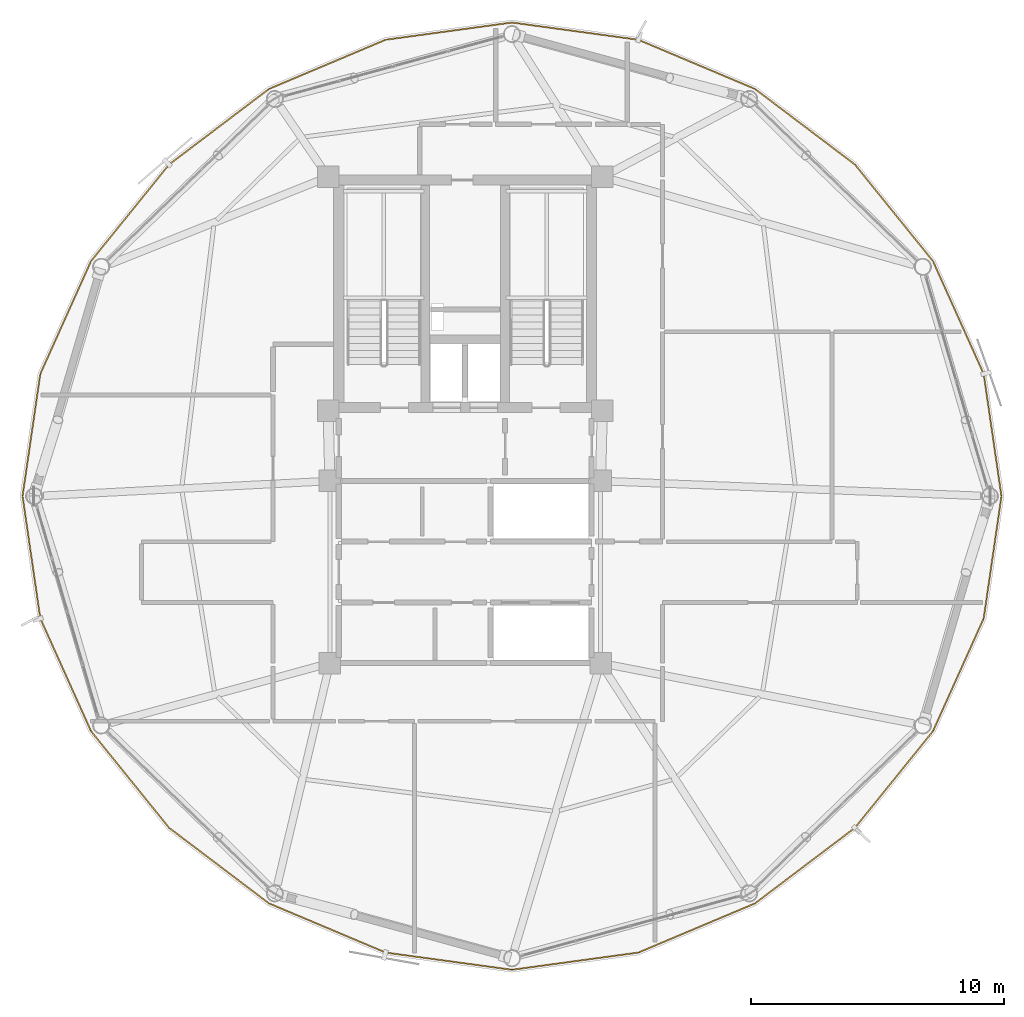
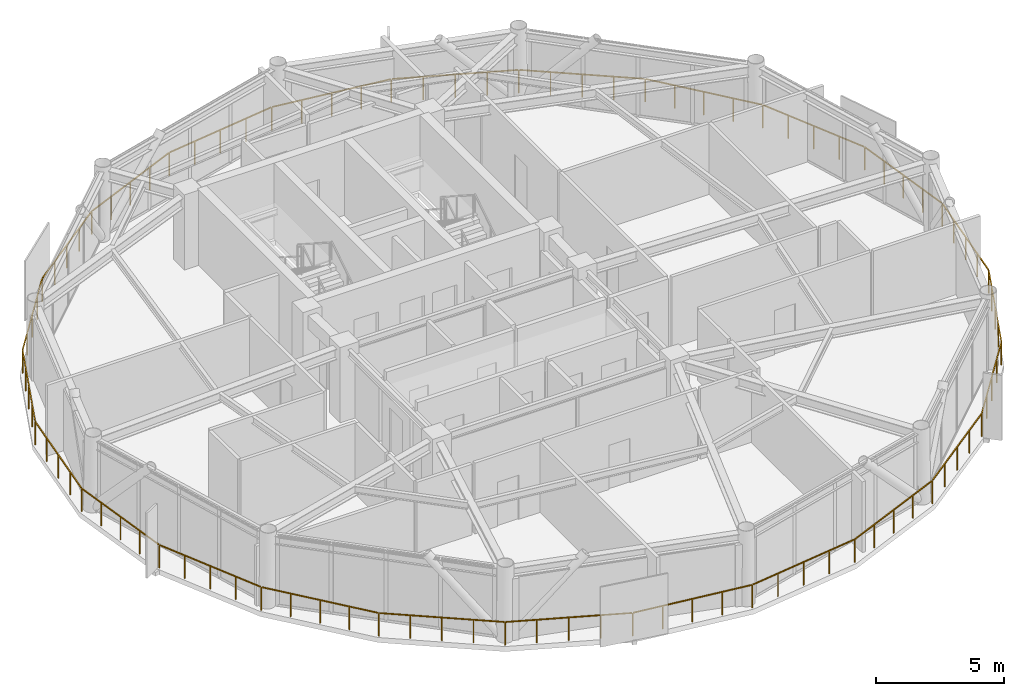
# One storey, part 27 of 28: 1 railing.
"""IFC4 building model written with IfcOpenShell, lengths in metres."""

from ifc_helpers import new_model, si_unit, direction, frame, origin, origin_2d, place, context, subcontext, project, spatial, rectangle, extrude, material, type_object, element, save


model = new_model("IFC4")

# Units and contexts
model_context = context("Model", 3, precision=1e-05, world=origin(), true_north=direction((0.0, 1.0)))
body_context = subcontext(model_context, "Body", "Model", "MODEL_VIEW")
ifc_project = project(units=[si_unit("LENGTHUNIT", "METRE"), si_unit("AREAUNIT", "SQUARE_METRE"), si_unit("VOLUMEUNIT", "CUBIC_METRE"), si_unit("PLANEANGLEUNIT", "RADIAN"), si_unit("MASSUNIT", "GRAM", prefix="KILO")], contexts=[model_context])

# Site, building, storey
site_placement = place(None, origin())
site = spatial("IfcSite", under=ifc_project, at=site_placement, CompositionType="ELEMENT")
building_placement = place(site_placement, origin())
building = spatial("IfcBuilding", under=site, at=building_placement, Name="Varnakorn Sky Granary", CompositionType="ELEMENT")
storey_placement = place(building_placement, frame((0.0, 0.0, 225.60009765625)))
storey = spatial("IfcBuildingStorey", under=building, at=storey_placement, Name="L57", CompositionType="ELEMENT", Elevation=225.60009765625)

# Railing
ifc_material = material(Name="Anodised Bronze Aluminium Alloy 6063-T6", Category="aluminium")
railing_type = type_object("IfcRailingType", Name="RL-BAL-1120", PredefinedType="BALUSTRADE", material=ifc_material)
railing_placement = place(storey_placement, frame((24.200927734375, 0.0, 0.0)))
element("IfcRailing", 1, at=railing_placement, inside=storey, type_object=railing_type, Name="Perimeter Slab-Edge Safety Guard L57", PredefinedType="BALUSTRADE", context=body_context, shape_type="SweptSolid", body=[
    extrude(rectangle(XDim=0.048095703125, YDim=0.048095703125, at=origin_2d()), frame((-0.00390625, -0.027587890625, 1.09619140625), z_axis=(-0.143779620503, -0.989609731524, 0.0), x_axis=(0.989609731524, -0.143779620503, 0.0)), (0.0, 0.0, 1.0), 4.827392578125),
    extrude(rectangle(XDim=0.048095703125, YDim=0.048095703125, at=origin_2d()), frame((-0.713623046875, -4.8583984375, 1.09619140625), z_axis=(-0.410132166, -0.912026099633, 0.0), x_axis=(0.912026099633, -0.410132166, 0.0)), (0.0, 0.0, 1.0), 4.834228515625),
    extrude(rectangle(XDim=0.048095703125, YDim=0.048095703125, at=origin_2d()), frame((-2.725341796875, -9.314453125, 1.09619140625), z_axis=(-0.628447043258, -0.777852372767, 0.0), x_axis=(0.777852372767, -0.628447043258, 0.0)), (0.0, 0.0, 1.0), 4.8544921875),
    extrude(rectangle(XDim=0.048095703125, YDim=0.048095703125, at=origin_2d()), frame((-5.81591796875, -13.129150390625, 1.09619140625), z_axis=(-0.797532042783, -0.603276587259, 0.0), x_axis=(0.603276587259, -0.797532042783, 0.0)), (0.0, 0.0, 1.0), 4.895751953125),
    extrude(rectangle(XDim=0.048095703125, YDim=0.048095703125, at=origin_2d()), frame((-9.768798828125, -16.110595703125, 1.09619140625), z_axis=(-0.921472767548, -0.388442967072, 0.0), x_axis=(0.388442967072, -0.921472767548, 0.0)), (0.0, 0.0, 1.0), 4.94873046875),
    extrude(rectangle(XDim=0.048095703125, YDim=0.048095703125, at=origin_2d()), frame((-14.382568359375, -18.04736328125, 1.09619140625), z_axis=(-0.990827221476, -0.135134811139, 0.0), x_axis=(0.135134811139, -0.990827221476, 0.0)), (0.0, 0.0, 1.0), 4.986328125),
    extrude(rectangle(XDim=0.048095703125, YDim=0.048095703125, at=origin_2d()), frame((-19.378662109375, -18.721435546875, 1.09619140625), z_axis=(-0.990828105595, 0.135128328498, 0.0), x_axis=(-0.135128328498, -0.990828105595, 0.0)), (0.0, 0.0, 1.0), 4.986572265625),
    extrude(rectangle(XDim=0.048095703125, YDim=0.048095703125, at=origin_2d()), frame((-24.373046875, -18.03271484375, 1.09619140625), z_axis=(-0.921472767548, 0.388442967072, 0.0), x_axis=(-0.388442967072, -0.921472767548, 0.0)), (0.0, 0.0, 1.0), 4.94873046875),
    extrude(rectangle(XDim=0.048095703125, YDim=0.048095703125, at=origin_2d()), frame((-28.981201171875, -16.082763671875, 1.09619140625), z_axis=(-0.797532042783, 0.603276587259, 0.0), x_axis=(-0.603276587259, -0.797532042783, 0.0)), (0.0, 0.0, 1.0), 4.895751953125),
    extrude(rectangle(XDim=0.048095703125, YDim=0.048095703125, at=origin_2d()), frame((-32.92578125, -13.090576171875, 1.09619140625), z_axis=(-0.628447043258, 0.777852372767, 0.0), x_axis=(-0.777852372767, -0.628447043258, 0.0)), (0.0, 0.0, 1.0), 4.8544921875),
    extrude(rectangle(XDim=0.048095703125, YDim=0.048095703125, at=origin_2d()), frame((-36.005615234375, -9.26708984375, 1.09619140625), z_axis=(-0.410132166, 0.912026099633, 0.0), x_axis=(-0.912026099633, -0.410132166, 0.0)), (0.0, 0.0, 1.0), 4.834228515625),
    extrude(rectangle(XDim=0.048095703125, YDim=0.048095703125, at=origin_2d()), frame((-38.003662109375, -4.80517578125, 1.09619140625), z_axis=(-0.143779620503, 0.989609731524, 0.0), x_axis=(-0.989609731524, -0.143779620503, 0.0)), (0.0, 0.0, 1.0), 4.827392578125),
    extrude(rectangle(XDim=0.048095703125, YDim=0.048095703125, at=origin_2d()), frame((-38.697998046875, 0.027587890625, 1.09619140625), z_axis=(0.143779620503, 0.989609731524, 0.0), x_axis=(-0.989609731524, 0.143779620503, 0.0)), (0.0, 0.0, 1.0), 4.827392578125),
    extrude(rectangle(XDim=0.048095703125, YDim=0.048095703125, at=origin_2d()), frame((-37.98828125, 4.8583984375, 1.09619140625), z_axis=(0.410132166, 0.912026099633, 0.0), x_axis=(-0.912026099633, 0.410132166, 0.0)), (0.0, 0.0, 1.0), 4.834228515625),
    extrude(rectangle(XDim=0.048095703125, YDim=0.048095703125, at=origin_2d()), frame((-35.9765625, 9.314453125, 1.09619140625), z_axis=(0.628447043258, 0.777852372767, 0.0), x_axis=(-0.777852372767, 0.628447043258, 0.0)), (0.0, 0.0, 1.0), 4.8544921875),
    extrude(rectangle(XDim=0.048095703125, YDim=0.048095703125, at=origin_2d()), frame((-32.885986328125, 13.129150390625, 1.09619140625), z_axis=(0.797532042783, 0.603276587259, 0.0), x_axis=(-0.603276587259, 0.797532042783, 0.0)), (0.0, 0.0, 1.0), 4.895751953125),
    extrude(rectangle(XDim=0.048095703125, YDim=0.048095703125, at=origin_2d()), frame((-28.93310546875, 16.110595703125, 1.09619140625), z_axis=(0.921472767548, 0.388442967072, 0.0), x_axis=(-0.388442967072, 0.921472767548, 0.0)), (0.0, 0.0, 1.0), 4.94873046875),
    extrude(rectangle(XDim=0.048095703125, YDim=0.048095703125, at=origin_2d()), frame((-24.3193359375, 18.04736328125, 1.09619140625), z_axis=(0.990828105595, 0.135128328498, 0.0), x_axis=(-0.135128328498, 0.990828105595, 0.0)), (0.0, 0.0, 1.0), 4.986572265625),
    extrude(rectangle(XDim=0.048095703125, YDim=0.048095703125, at=origin_2d()), frame((-19.322998046875, 18.721435546875, 1.09619140625), z_axis=(0.990827221476, -0.135134811139, 0.0), x_axis=(0.135134811139, 0.990827221476, 0.0)), (0.0, 0.0, 1.0), 4.986328125),
    extrude(rectangle(XDim=0.048095703125, YDim=0.048095703125, at=origin_2d()), frame((-14.328857421875, 18.03271484375, 1.09619140625), z_axis=(0.921472767548, -0.388442967072, 0.0), x_axis=(0.388442967072, 0.921472767548, 0.0)), (0.0, 0.0, 1.0), 4.94873046875),
    extrude(rectangle(XDim=0.048095703125, YDim=0.048095703125, at=origin_2d()), frame((-9.720703125, 16.082763671875, 1.09619140625), z_axis=(0.797532042783, -0.603276587259, 0.0), x_axis=(0.603276587259, 0.797532042783, 0.0)), (0.0, 0.0, 1.0), 4.895751953125),
    extrude(rectangle(XDim=0.048095703125, YDim=0.048095703125, at=origin_2d()), frame((-5.776123046875, 13.090576171875, 1.09619140625), z_axis=(0.628447043258, -0.777852372767, 0.0), x_axis=(0.777852372767, 0.628447043258, 0.0)), (0.0, 0.0, 1.0), 4.8544921875),
    extrude(rectangle(XDim=0.048095703125, YDim=0.048095703125, at=origin_2d()), frame((-2.6962890625, 9.26708984375, 1.09619140625), z_axis=(0.410132166, -0.912026099633, 0.0), x_axis=(0.912026099633, 0.410132166, 0.0)), (0.0, 0.0, 1.0), 4.834228515625),
    extrude(rectangle(XDim=0.048095703125, YDim=0.048095703125, at=origin_2d()), frame((-0.6982421875, 4.80517578125, 1.09619140625), z_axis=(0.143779620503, -0.989609731524, 0.0), x_axis=(0.989609731524, 0.143779620503, 0.0)), (0.0, 0.0, 1.0), 4.827392578125),
    extrude(rectangle(XDim=0.0419921875, YDim=0.0419921875, at=origin_2d()), origin(), (0.0, 0.0, 1.0), 1.068115234375),
    extrude(rectangle(XDim=0.0419921875, YDim=0.0419921875, at=origin_2d()), frame((-0.175537109375, -1.208251953125, 0.0)), (0.0, 0.0, 1.0), 1.068115234375),
    extrude(rectangle(XDim=0.0419921875, YDim=0.0419921875, at=origin_2d()), frame((-0.35107421875, -2.41650390625, 0.0)), (0.0, 0.0, 1.0), 1.068115234375),
    extrude(rectangle(XDim=0.0419921875, YDim=0.0419921875, at=origin_2d()), frame((-0.526611328125, -3.62451171875, 0.0)), (0.0, 0.0, 1.0), 1.068115234375),
    extrude(rectangle(XDim=0.0419921875, YDim=0.0419921875, at=origin_2d()), frame((-0.7021484375, -4.832763671875, 0.0)), (0.0, 0.0, 1.0), 1.068115234375),
    extrude(rectangle(XDim=0.0419921875, YDim=0.0419921875, at=origin_2d()), frame((-1.20361328125, -5.94775390625, 0.0)), (0.0, 0.0, 1.0), 1.068115234375),
    extrude(rectangle(XDim=0.0419921875, YDim=0.0419921875, at=origin_2d()), frame((-1.705078125, -7.062744140625, 0.0)), (0.0, 0.0, 1.0), 1.068115234375),
    extrude(rectangle(XDim=0.0419921875, YDim=0.0419921875, at=origin_2d()), frame((-2.206298828125, -8.177734375, 0.0)), (0.0, 0.0, 1.0), 1.068115234375),
    extrude(rectangle(XDim=0.0419921875, YDim=0.0419921875, at=origin_2d()), frame((-2.707763671875, -9.292724609375, 0.0)), (0.0, 0.0, 1.0), 1.068115234375),
    extrude(rectangle(XDim=0.0419921875, YDim=0.0419921875, at=origin_2d()), frame((-3.479248046875, -10.24755859375, 0.0)), (0.0, 0.0, 1.0), 1.068115234375),
    extrude(rectangle(XDim=0.0419921875, YDim=0.0419921875, at=origin_2d()), frame((-4.250732421875, -11.20263671875, 0.0)), (0.0, 0.0, 1.0), 1.068115234375),
    extrude(rectangle(XDim=0.0419921875, YDim=0.0419921875, at=origin_2d()), frame((-5.022216796875, -12.157470703125, 0.0)), (0.0, 0.0, 1.0), 1.068115234375),
    extrude(rectangle(XDim=0.0419921875, YDim=0.0419921875, at=origin_2d()), frame((-5.793701171875, -13.1123046875, 0.0)), (0.0, 0.0, 1.0), 1.068115234375),
    extrude(rectangle(XDim=0.0419921875, YDim=0.0419921875, at=origin_2d()), frame((-6.781005859375, -13.859130859375, 0.0)), (0.0, 0.0, 1.0), 1.068115234375),
    extrude(rectangle(XDim=0.0419921875, YDim=0.0419921875, at=origin_2d()), frame((-7.768310546875, -14.60595703125, 0.0)), (0.0, 0.0, 1.0), 1.068115234375),
    extrude(rectangle(XDim=0.0419921875, YDim=0.0419921875, at=origin_2d()), frame((-8.755615234375, -15.352783203125, 0.0)), (0.0, 0.0, 1.0), 1.068115234375),
    extrude(rectangle(XDim=0.0419921875, YDim=0.0419921875, at=origin_2d()), frame((-9.742919921875, -16.099609375, 0.0)), (0.0, 0.0, 1.0), 1.068115234375),
    extrude(rectangle(XDim=0.0419921875, YDim=0.0419921875, at=origin_2d()), frame((-10.89599609375, -16.585693359375, 0.0)), (0.0, 0.0, 1.0), 1.068115234375),
    extrude(rectangle(XDim=0.0419921875, YDim=0.0419921875, at=origin_2d()), frame((-12.048828125, -17.07177734375, 0.0)), (0.0, 0.0, 1.0), 1.068115234375),
    extrude(rectangle(XDim=0.0419921875, YDim=0.0419921875, at=origin_2d()), frame((-13.20166015625, -17.5576171875, 0.0)), (0.0, 0.0, 1.0), 1.068115234375),
    extrude(rectangle(XDim=0.0419921875, YDim=0.0419921875, at=origin_2d()), frame((-14.354736328125, -18.043701171875, 0.0)), (0.0, 0.0, 1.0), 1.068115234375),
    extrude(rectangle(XDim=0.0419921875, YDim=0.0419921875, at=origin_2d()), frame((-15.603759765625, -18.214111328125, 0.0)), (0.0, 0.0, 1.0), 1.068115234375),
    extrude(rectangle(XDim=0.0419921875, YDim=0.0419921875, at=origin_2d()), frame((-16.852783203125, -18.38427734375, 0.0)), (0.0, 0.0, 1.0), 1.068115234375),
    extrude(rectangle(XDim=0.0419921875, YDim=0.0419921875, at=origin_2d()), frame((-18.101806640625, -18.5546875, 0.0)), (0.0, 0.0, 1.0), 1.068115234375),
    extrude(rectangle(XDim=0.0419921875, YDim=0.0419921875, at=origin_2d()), frame((-19.350830078125, -18.72509765625, 0.0)), (0.0, 0.0, 1.0), 1.068115234375),
    extrude(rectangle(XDim=0.0419921875, YDim=0.0419921875, at=origin_2d()), frame((-20.599853515625, -18.5546875, 0.0)), (0.0, 0.0, 1.0), 1.068115234375),
    extrude(rectangle(XDim=0.0419921875, YDim=0.0419921875, at=origin_2d()), frame((-21.84912109375, -18.38427734375, 0.0)), (0.0, 0.0, 1.0), 1.068115234375),
    extrude(rectangle(XDim=0.0419921875, YDim=0.0419921875, at=origin_2d()), frame((-23.09814453125, -18.214111328125, 0.0)), (0.0, 0.0, 1.0), 1.068115234375),
    extrude(rectangle(XDim=0.0419921875, YDim=0.0419921875, at=origin_2d()), frame((-24.34716796875, -18.043701171875, 0.0)), (0.0, 0.0, 1.0), 1.068115234375),
    extrude(rectangle(XDim=0.0419921875, YDim=0.0419921875, at=origin_2d()), frame((-25.5, -17.5576171875, 0.0)), (0.0, 0.0, 1.0), 1.068115234375),
    extrude(rectangle(XDim=0.0419921875, YDim=0.0419921875, at=origin_2d()), frame((-26.653076171875, -17.07177734375, 0.0)), (0.0, 0.0, 1.0), 1.068115234375),
    extrude(rectangle(XDim=0.0419921875, YDim=0.0419921875, at=origin_2d()), frame((-27.80615234375, -16.585693359375, 0.0)), (0.0, 0.0, 1.0), 1.068115234375),
    extrude(rectangle(XDim=0.0419921875, YDim=0.0419921875, at=origin_2d()), frame((-28.958984375, -16.099609375, 0.0)), (0.0, 0.0, 1.0), 1.068115234375),
    extrude(rectangle(XDim=0.0419921875, YDim=0.0419921875, at=origin_2d()), frame((-29.9462890625, -15.352783203125, 0.0)), (0.0, 0.0, 1.0), 1.068115234375),
    extrude(rectangle(XDim=0.0419921875, YDim=0.0419921875, at=origin_2d()), frame((-30.93359375, -14.60595703125, 0.0)), (0.0, 0.0, 1.0), 1.068115234375),
    extrude(rectangle(XDim=0.0419921875, YDim=0.0419921875, at=origin_2d()), frame((-31.9208984375, -13.859130859375, 0.0)), (0.0, 0.0, 1.0), 1.068115234375),
    extrude(rectangle(XDim=0.0419921875, YDim=0.0419921875, at=origin_2d()), frame((-32.908203125, -13.1123046875, 0.0)), (0.0, 0.0, 1.0), 1.068115234375),
    extrude(rectangle(XDim=0.0419921875, YDim=0.0419921875, at=origin_2d()), frame((-33.6796875, -12.157470703125, 0.0)), (0.0, 0.0, 1.0), 1.068115234375),
    extrude(rectangle(XDim=0.0419921875, YDim=0.0419921875, at=origin_2d()), frame((-34.451171875, -11.20263671875, 0.0)), (0.0, 0.0, 1.0), 1.068115234375),
    extrude(rectangle(XDim=0.0419921875, YDim=0.0419921875, at=origin_2d()), frame((-35.22265625, -10.24755859375, 0.0)), (0.0, 0.0, 1.0), 1.068115234375),
    extrude(rectangle(XDim=0.0419921875, YDim=0.0419921875, at=origin_2d()), frame((-35.994140625, -9.292724609375, 0.0)), (0.0, 0.0, 1.0), 1.068115234375),
    extrude(rectangle(XDim=0.0419921875, YDim=0.0419921875, at=origin_2d()), frame((-36.49560546875, -8.177734375, 0.0)), (0.0, 0.0, 1.0), 1.068115234375),
    extrude(rectangle(XDim=0.0419921875, YDim=0.0419921875, at=origin_2d()), frame((-36.9970703125, -7.062744140625, 0.0)), (0.0, 0.0, 1.0), 1.068115234375),
    extrude(rectangle(XDim=0.0419921875, YDim=0.0419921875, at=origin_2d()), frame((-37.498291015625, -5.94775390625, 0.0)), (0.0, 0.0, 1.0), 1.068115234375),
    extrude(rectangle(XDim=0.0419921875, YDim=0.0419921875, at=origin_2d()), frame((-37.999755859375, -4.832763671875, 0.0)), (0.0, 0.0, 1.0), 1.068115234375),
    extrude(rectangle(XDim=0.0419921875, YDim=0.0419921875, at=origin_2d()), frame((-38.17529296875, -3.62451171875, 0.0)), (0.0, 0.0, 1.0), 1.068115234375),
    extrude(rectangle(XDim=0.0419921875, YDim=0.0419921875, at=origin_2d()), frame((-38.350830078125, -2.41650390625, 0.0)), (0.0, 0.0, 1.0), 1.068115234375),
    extrude(rectangle(XDim=0.0419921875, YDim=0.0419921875, at=origin_2d()), frame((-38.5263671875, -1.208251953125, 0.0)), (0.0, 0.0, 1.0), 1.068115234375),
    extrude(rectangle(XDim=0.0419921875, YDim=0.0419921875, at=origin_2d()), frame((-38.701904296875, 0.0, 0.0)), (0.0, 0.0, 1.0), 1.068115234375),
    extrude(rectangle(XDim=0.0419921875, YDim=0.0419921875, at=origin_2d()), frame((-38.5263671875, 1.208251953125, 0.0)), (0.0, 0.0, 1.0), 1.068115234375),
    extrude(rectangle(XDim=0.0419921875, YDim=0.0419921875, at=origin_2d()), frame((-38.350830078125, 2.41650390625, 0.0)), (0.0, 0.0, 1.0), 1.068115234375),
    extrude(rectangle(XDim=0.0419921875, YDim=0.0419921875, at=origin_2d()), frame((-38.17529296875, 3.62451171875, 0.0)), (0.0, 0.0, 1.0), 1.068115234375),
    extrude(rectangle(XDim=0.0419921875, YDim=0.0419921875, at=origin_2d()), frame((-37.999755859375, 4.832763671875, 0.0)), (0.0, 0.0, 1.0), 1.068115234375),
    extrude(rectangle(XDim=0.0419921875, YDim=0.0419921875, at=origin_2d()), frame((-37.498291015625, 5.94775390625, 0.0)), (0.0, 0.0, 1.0), 1.068115234375),
    extrude(rectangle(XDim=0.0419921875, YDim=0.0419921875, at=origin_2d()), frame((-36.9970703125, 7.062744140625, 0.0)), (0.0, 0.0, 1.0), 1.068115234375),
    extrude(rectangle(XDim=0.0419921875, YDim=0.0419921875, at=origin_2d()), frame((-36.49560546875, 8.177734375, 0.0)), (0.0, 0.0, 1.0), 1.068115234375),
    extrude(rectangle(XDim=0.0419921875, YDim=0.0419921875, at=origin_2d()), frame((-35.994140625, 9.292724609375, 0.0)), (0.0, 0.0, 1.0), 1.068115234375),
    extrude(rectangle(XDim=0.0419921875, YDim=0.0419921875, at=origin_2d()), frame((-35.22265625, 10.24755859375, 0.0)), (0.0, 0.0, 1.0), 1.068115234375),
    extrude(rectangle(XDim=0.0419921875, YDim=0.0419921875, at=origin_2d()), frame((-34.451171875, 11.20263671875, 0.0)), (0.0, 0.0, 1.0), 1.068115234375),
    extrude(rectangle(XDim=0.0419921875, YDim=0.0419921875, at=origin_2d()), frame((-33.6796875, 12.157470703125, 0.0)), (0.0, 0.0, 1.0), 1.068115234375),
    extrude(rectangle(XDim=0.0419921875, YDim=0.0419921875, at=origin_2d()), frame((-32.908203125, 13.1123046875, 0.0)), (0.0, 0.0, 1.0), 1.068115234375),
    extrude(rectangle(XDim=0.0419921875, YDim=0.0419921875, at=origin_2d()), frame((-31.9208984375, 13.859130859375, 0.0)), (0.0, 0.0, 1.0), 1.068115234375),
    extrude(rectangle(XDim=0.0419921875, YDim=0.0419921875, at=origin_2d()), frame((-30.93359375, 14.60595703125, 0.0)), (0.0, 0.0, 1.0), 1.068115234375),
    extrude(rectangle(XDim=0.0419921875, YDim=0.0419921875, at=origin_2d()), frame((-29.9462890625, 15.352783203125, 0.0)), (0.0, 0.0, 1.0), 1.068115234375),
    extrude(rectangle(XDim=0.0419921875, YDim=0.0419921875, at=origin_2d()), frame((-28.958984375, 16.099609375, 0.0)), (0.0, 0.0, 1.0), 1.068115234375),
    extrude(rectangle(XDim=0.0419921875, YDim=0.0419921875, at=origin_2d()), frame((-27.80615234375, 16.585693359375, 0.0)), (0.0, 0.0, 1.0), 1.068115234375),
    extrude(rectangle(XDim=0.0419921875, YDim=0.0419921875, at=origin_2d()), frame((-26.653076171875, 17.07177734375, 0.0)), (0.0, 0.0, 1.0), 1.068115234375),
    extrude(rectangle(XDim=0.0419921875, YDim=0.0419921875, at=origin_2d()), frame((-25.5, 17.5576171875, 0.0)), (0.0, 0.0, 1.0), 1.068115234375),
    extrude(rectangle(XDim=0.0419921875, YDim=0.0419921875, at=origin_2d()), frame((-24.34716796875, 18.043701171875, 0.0)), (0.0, 0.0, 1.0), 1.068115234375),
    extrude(rectangle(XDim=0.0419921875, YDim=0.0419921875, at=origin_2d()), frame((-23.09814453125, 18.214111328125, 0.0)), (0.0, 0.0, 1.0), 1.068115234375),
    extrude(rectangle(XDim=0.0419921875, YDim=0.0419921875, at=origin_2d()), frame((-21.84912109375, 18.38427734375, 0.0)), (0.0, 0.0, 1.0), 1.068115234375),
    extrude(rectangle(XDim=0.0419921875, YDim=0.0419921875, at=origin_2d()), frame((-20.599853515625, 18.5546875, 0.0)), (0.0, 0.0, 1.0), 1.068115234375),
    extrude(rectangle(XDim=0.0419921875, YDim=0.0419921875, at=origin_2d()), frame((-19.350830078125, 18.72509765625, 0.0)), (0.0, 0.0, 1.0), 1.068115234375),
    extrude(rectangle(XDim=0.0419921875, YDim=0.0419921875, at=origin_2d()), frame((-18.101806640625, 18.5546875, 0.0)), (0.0, 0.0, 1.0), 1.068115234375),
    extrude(rectangle(XDim=0.0419921875, YDim=0.0419921875, at=origin_2d()), frame((-16.852783203125, 18.38427734375, 0.0)), (0.0, 0.0, 1.0), 1.068115234375),
    extrude(rectangle(XDim=0.0419921875, YDim=0.0419921875, at=origin_2d()), frame((-15.603759765625, 18.214111328125, 0.0)), (0.0, 0.0, 1.0), 1.068115234375),
    extrude(rectangle(XDim=0.0419921875, YDim=0.0419921875, at=origin_2d()), frame((-14.354736328125, 18.043701171875, 0.0)), (0.0, 0.0, 1.0), 1.068115234375),
    extrude(rectangle(XDim=0.0419921875, YDim=0.0419921875, at=origin_2d()), frame((-13.20166015625, 17.5576171875, 0.0)), (0.0, 0.0, 1.0), 1.068115234375),
    extrude(rectangle(XDim=0.0419921875, YDim=0.0419921875, at=origin_2d()), frame((-12.048828125, 17.07177734375, 0.0)), (0.0, 0.0, 1.0), 1.068115234375),
    extrude(rectangle(XDim=0.0419921875, YDim=0.0419921875, at=origin_2d()), frame((-10.89599609375, 16.585693359375, 0.0)), (0.0, 0.0, 1.0), 1.068115234375),
    extrude(rectangle(XDim=0.0419921875, YDim=0.0419921875, at=origin_2d()), frame((-9.742919921875, 16.099609375, 0.0)), (0.0, 0.0, 1.0), 1.068115234375),
    extrude(rectangle(XDim=0.0419921875, YDim=0.0419921875, at=origin_2d()), frame((-8.755615234375, 15.352783203125, 0.0)), (0.0, 0.0, 1.0), 1.068115234375),
    extrude(rectangle(XDim=0.0419921875, YDim=0.0419921875, at=origin_2d()), frame((-7.768310546875, 14.60595703125, 0.0)), (0.0, 0.0, 1.0), 1.068115234375),
    extrude(rectangle(XDim=0.0419921875, YDim=0.0419921875, at=origin_2d()), frame((-6.781005859375, 13.859130859375, 0.0)), (0.0, 0.0, 1.0), 1.068115234375),
    extrude(rectangle(XDim=0.0419921875, YDim=0.0419921875, at=origin_2d()), frame((-5.793701171875, 13.1123046875, 0.0)), (0.0, 0.0, 1.0), 1.068115234375),
    extrude(rectangle(XDim=0.0419921875, YDim=0.0419921875, at=origin_2d()), frame((-5.022216796875, 12.157470703125, 0.0)), (0.0, 0.0, 1.0), 1.068115234375),
    extrude(rectangle(XDim=0.0419921875, YDim=0.0419921875, at=origin_2d()), frame((-4.250732421875, 11.20263671875, 0.0)), (0.0, 0.0, 1.0), 1.068115234375),
    extrude(rectangle(XDim=0.0419921875, YDim=0.0419921875, at=origin_2d()), frame((-3.479248046875, 10.24755859375, 0.0)), (0.0, 0.0, 1.0), 1.068115234375),
    extrude(rectangle(XDim=0.0419921875, YDim=0.0419921875, at=origin_2d()), frame((-2.707763671875, 9.292724609375, 0.0)), (0.0, 0.0, 1.0), 1.068115234375),
    extrude(rectangle(XDim=0.0419921875, YDim=0.0419921875, at=origin_2d()), frame((-2.206298828125, 8.177734375, 0.0)), (0.0, 0.0, 1.0), 1.068115234375),
    extrude(rectangle(XDim=0.0419921875, YDim=0.0419921875, at=origin_2d()), frame((-1.705078125, 7.062744140625, 0.0)), (0.0, 0.0, 1.0), 1.068115234375),
    extrude(rectangle(XDim=0.0419921875, YDim=0.0419921875, at=origin_2d()), frame((-1.20361328125, 5.94775390625, 0.0)), (0.0, 0.0, 1.0), 1.068115234375),
    extrude(rectangle(XDim=0.0419921875, YDim=0.0419921875, at=origin_2d()), frame((-0.7021484375, 4.832763671875, 0.0)), (0.0, 0.0, 1.0), 1.068115234375),
    extrude(rectangle(XDim=0.0419921875, YDim=0.0419921875, at=origin_2d()), frame((-0.526611328125, 3.62451171875, 0.0)), (0.0, 0.0, 1.0), 1.068115234375),
    extrude(rectangle(XDim=0.0419921875, YDim=0.0419921875, at=origin_2d()), frame((-0.35107421875, 2.41650390625, 0.0)), (0.0, 0.0, 1.0), 1.068115234375),
    extrude(rectangle(XDim=0.0419921875, YDim=0.0419921875, at=origin_2d()), frame((-0.175537109375, 1.208251953125, 0.0)), (0.0, 0.0, 1.0), 1.068115234375),
])

save(model, "model.ifc")
